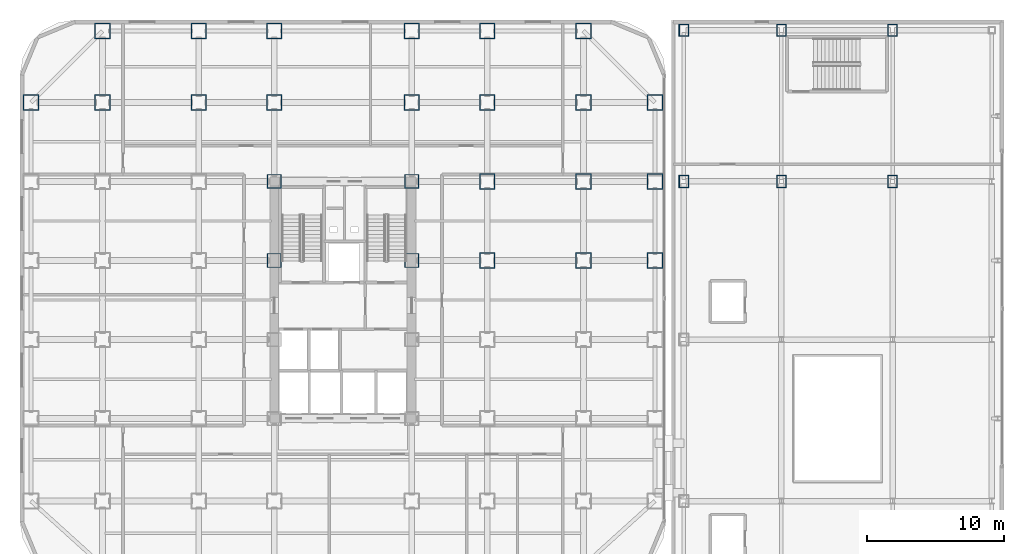
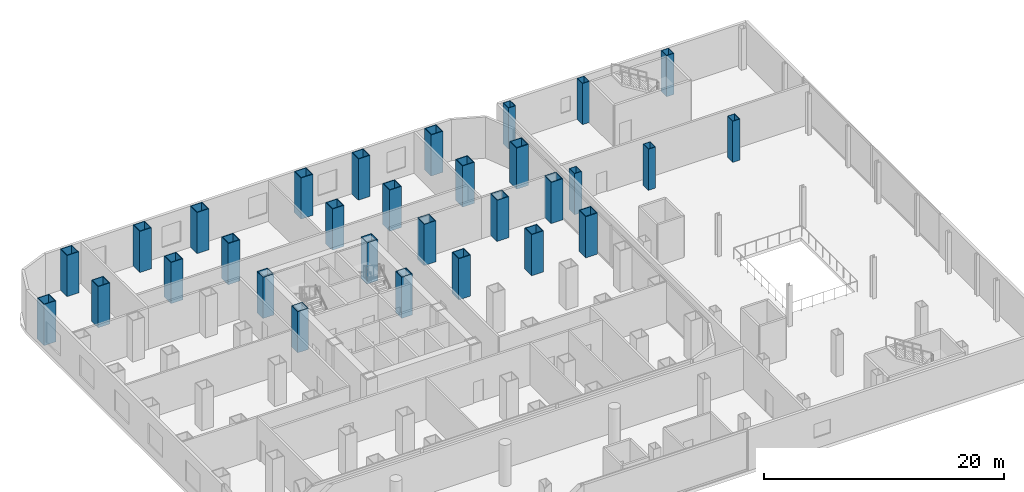
# One storey, part 3 of 26: 30 columns.
"""IFC4 building model written with IfcOpenShell, lengths in metres."""

from ifc_helpers import new_model, si_unit, direction, frame, origin, origin_2d, place, context, subcontext, project, spatial, hollow_rectangle, extrude, source, transform, mapped, material, material_profile, profile_set, type_object, element, save


model = new_model("IFC4")

# Units and contexts
model_context = context("Model", 3, precision=1e-05, world=origin(), true_north=direction((0.0, 1.0)))
body_context = subcontext(model_context, "Body", "Model", "MODEL_VIEW")
ifc_project = project(units=[si_unit("LENGTHUNIT", "METRE"), si_unit("AREAUNIT", "SQUARE_METRE"), si_unit("VOLUMEUNIT", "CUBIC_METRE"), si_unit("PLANEANGLEUNIT", "RADIAN"), si_unit("MASSUNIT", "GRAM", prefix="KILO")], contexts=[model_context])

# Site, building, storey
site_placement = place(None, origin())
site = spatial("IfcSite", under=ifc_project, at=site_placement, CompositionType="ELEMENT")
building_placement = place(site_placement, origin())
building = spatial("IfcBuilding", under=site, at=building_placement, Name="Kolveth Station Tower", CompositionType="ELEMENT")
storey_placement = place(building_placement, frame((0.0, 0.0, 4.5)))
storey = spatial("IfcBuildingStorey", under=building, at=storey_placement, Name="L01", CompositionType="ELEMENT", Elevation=4.5)

# Columns
ifc_material_1 = material(Name="Steel S460", Category="steel")
ifc_material_profile_1 = material_profile(ifc_material_1, hollow_rectangle(XDim=1.139892578125, YDim=1.139892578125, WallThickness=0.070068359375, at=origin_2d()), Name="BOX1140x1140x70")
ifc_profile_set_1 = profile_set([ifc_material_profile_1], Name="Steel S460")
column_type_1 = type_object("IfcColumnType", Name="Col_C1", PredefinedType="COLUMN", material=ifc_profile_set_1)
shared_shape_1 = source(origin(), body_context, "Body", "SweptSolid", [
    extrude(hollow_rectangle(XDim=1.139892578125, YDim=1.139892578125, WallThickness=0.070068359375, at=origin_2d()), origin(), (0.0, 0.0, 1.0), 4.179931640625),
])
for number, where, z_axis, x_axis, name in (
    (1, (6.0, 39.699951171875, 0.0), (0.0, 0.0, 1.0), (1.0, 0.0, 0.0), "L01 Tower Column N-X60"),
    (2, (13.0, 39.699951171875, 0.0), (0.0, 0.0, 1.0), (1.0, 0.0, 0.0), "L01 Tower Column N-X130"),
    (3, (18.5, 39.699951171875, 0.0), (0.0, 0.0, 1.0), (1.0, 0.0, 0.0), "L01 Tower Column N-X185"),
    (4, (28.5, 39.699951171875, 0.0), (0.0, 0.0, 1.0), (1.0, 0.0, 0.0), "L01 Tower Column N-X285"),
    (5, (34.0, 39.699951171875, 0.0), (0.0, 0.0, 1.0), (1.0, 0.0, 0.0), "L01 Tower Column N-X340"),
    (6, (41.0, 39.699951171875, 0.0), (0.0, 0.0, 1.0), (1.0, 0.0, 0.0), "L01 Tower Column N-X410"),
    (7, (46.199951171875, 23.0, 0.0), (0.0, 0.0, 1.0), (1.0, 0.0, 0.0), "L01 Tower Column E-Y230"),
    (8, (46.199951171875, 28.75, 0.0), (0.0, 0.0, 1.0), (1.0, 0.0, 0.0), "L01 Tower Column E-Y287"),
    (9, (0.800048828125, 34.5, 0.0), (0.0, 0.0, 1.0), (1.0, 0.0, 0.0), "L01 Tower Column W-Y345"),
    (10, (46.199951171875, 34.5, 0.0), (0.0, 0.0, 1.0), (1.0, 0.0, 0.0), "L01 Tower Column E-Y345"),
    (11, (6.0, 34.5, 0.0), (0.0, 0.0, 1.0), (1.0, 0.0, 0.0), "L01 Tower Column G-60-345"),
    (12, (13.0, 34.5, 0.0), (0.0, 0.0, 1.0), (1.0, 0.0, 0.0), "L01 Tower Column G-130-345"),
    (13, (18.5, 34.5, 0.0), (0.0, 0.0, 1.0), (1.0, 0.0, 0.0), "L01 Tower Column G-185-345"),
    (14, (28.5, 34.5, 0.0), (0.0, 0.0, 1.0), (1.0, 0.0, 0.0), "L01 Tower Column G-285-345"),
    (15, (34.0, 23.0, 0.0), (0.0, 0.0, 1.0), (1.0, 0.0, 0.0), "L01 Tower Column G-340-230"),
    (16, (34.0, 28.75, 0.0), (0.0, 0.0, 1.0), (1.0, 0.0, 0.0), "L01 Tower Column G-340-287"),
    (17, (34.0, 34.5, 0.0), (0.0, 0.0, 1.0), (1.0, 0.0, 0.0), "L01 Tower Column G-340-345"),
    (18, (41.0, 23.0, 0.0), (0.0, 0.0, 1.0), (1.0, 0.0, 0.0), "L01 Tower Column G-410-230"),
    (19, (41.0, 28.75, 0.0), (0.0, 0.0, 1.0), (1.0, 0.0, 0.0), "L01 Tower Column G-410-287"),
    (20, (41.0, 34.5, 0.0), (0.0, 0.0, 1.0), (1.0, 0.0, 0.0), "L01 Tower Column G-410-345"),
):
    element("IfcColumn", number, at=place(storey_placement, frame(where, z_axis=z_axis, x_axis=x_axis)), inside=storey, type_object=column_type_1, Name=name, PredefinedType="COLUMN", context=body_context, shape_type="MappedRepresentation", body=[
        mapped(shared_shape_1, transform((0.0, 0.0, 0.0), x_axis=(1.0, 0.0, 0.0), y_axis=(0.0, 1.0, 0.0), z_axis=(0.0, 0.0, 1.0), scale=1.0)),
    ])
ifc_material_profile_2 = material_profile(ifc_material_1, hollow_rectangle(XDim=1.0400390625, YDim=1.0400390625, WallThickness=0.06494140625, at=origin_2d()), Name="BOX1040x1040x65")
ifc_profile_set_2 = profile_set([ifc_material_profile_2], Name="Steel S460")
column_type_2 = type_object("IfcColumnType", Name="Col_C2", PredefinedType="COLUMN", material=ifc_profile_set_2)
shared_shape_2 = source(origin(), body_context, "Body", "SweptSolid", [
    extrude(hollow_rectangle(XDim=1.0400390625, YDim=1.0400390625, WallThickness=0.06494140625, at=origin_2d()), origin(), (0.0, 0.0, 1.0), 4.179931640625),
])
for number, where, z_axis, x_axis, name in (
    (21, (18.5, 23.0, 0.0), (0.0, 0.0, 1.0), (1.0, 0.0, 0.0), "L01 Tower Column G-185-230"),
    (22, (18.5, 28.75, 0.0), (0.0, 0.0, 1.0), (1.0, 0.0, 0.0), "L01 Tower Column G-185-287"),
    (23, (28.5, 23.0, 0.0), (0.0, 0.0, 1.0), (1.0, 0.0, 0.0), "L01 Tower Column G-285-230"),
    (24, (28.5, 28.75, 0.0), (0.0, 0.0, 1.0), (1.0, 0.0, 0.0), "L01 Tower Column G-285-287"),
):
    element("IfcColumn", number, at=place(storey_placement, frame(where, z_axis=z_axis, x_axis=x_axis)), inside=storey, type_object=column_type_2, Name=name, PredefinedType="COLUMN", context=body_context, shape_type="MappedRepresentation", body=[
        mapped(shared_shape_2, transform((0.0, 0.0, 0.0), x_axis=(1.0, 0.0, 0.0), y_axis=(0.0, 1.0, 0.0), z_axis=(0.0, 0.0, 1.0), scale=1.0)),
    ])
ifc_material_2 = material(Name="Steel S355", Category="steel")
ifc_material_profile_3 = material_profile(ifc_material_2, hollow_rectangle(XDim=0.699951171875, YDim=0.89990234375, WallThickness=0.0400390625, at=origin_2d()), Name="BOX900x700x40")
ifc_profile_set_3 = profile_set([ifc_material_profile_3], Name="Steel S355")
column_type_3 = type_object("IfcColumnType", Name="Col_SC1", PredefinedType="COLUMN", material=ifc_profile_set_3)
shared_shape_3 = source(origin(), body_context, "Body", "SweptSolid", [
    extrude(hollow_rectangle(XDim=0.699951171875, YDim=0.89990234375, WallThickness=0.0400390625, at=origin_2d()), origin(), (0.0, 0.0, 1.0), 4.179931640625),
])
for number, where, z_axis, x_axis, name in (
    (25, (48.300048828125, 28.75, 0.0), (0.0, 0.0, 1.0), (1.0, 0.0, 0.0), "L01 Station Column SE-1-5"),
    (26, (48.300048828125, 39.75, 0.0), (0.0, 0.0, 1.0), (1.0, 0.0, 0.0), "L01 Station Column SE-1-6"),
    (27, (55.39990234375, 28.75, 0.0), (0.0, 0.0, 1.0), (1.0, 0.0, 0.0), "L01 Station Column SE-2-5"),
    (28, (55.39990234375, 39.75, 0.0), (0.0, 0.0, 1.0), (1.0, 0.0, 0.0), "L01 Station Column SE-2-6"),
    (29, (63.5, 28.75, 0.0), (0.0, 0.0, 1.0), (1.0, 0.0, 0.0), "L01 Station Column SE-3-5"),
    (30, (63.5, 39.75, 0.0), (0.0, 0.0, 1.0), (1.0, 0.0, 0.0), "L01 Station Column SE-3-6"),
):
    element("IfcColumn", number, at=place(storey_placement, frame(where, z_axis=z_axis, x_axis=x_axis)), inside=storey, type_object=column_type_3, Name=name, PredefinedType="COLUMN", context=body_context, shape_type="MappedRepresentation", body=[
        mapped(shared_shape_3, transform((0.0, 0.0, 0.0), x_axis=(1.0, 0.0, 0.0), y_axis=(0.0, 1.0, 0.0), z_axis=(0.0, 0.0, 1.0), scale=1.0)),
    ])

save(model, "model.ifc")
